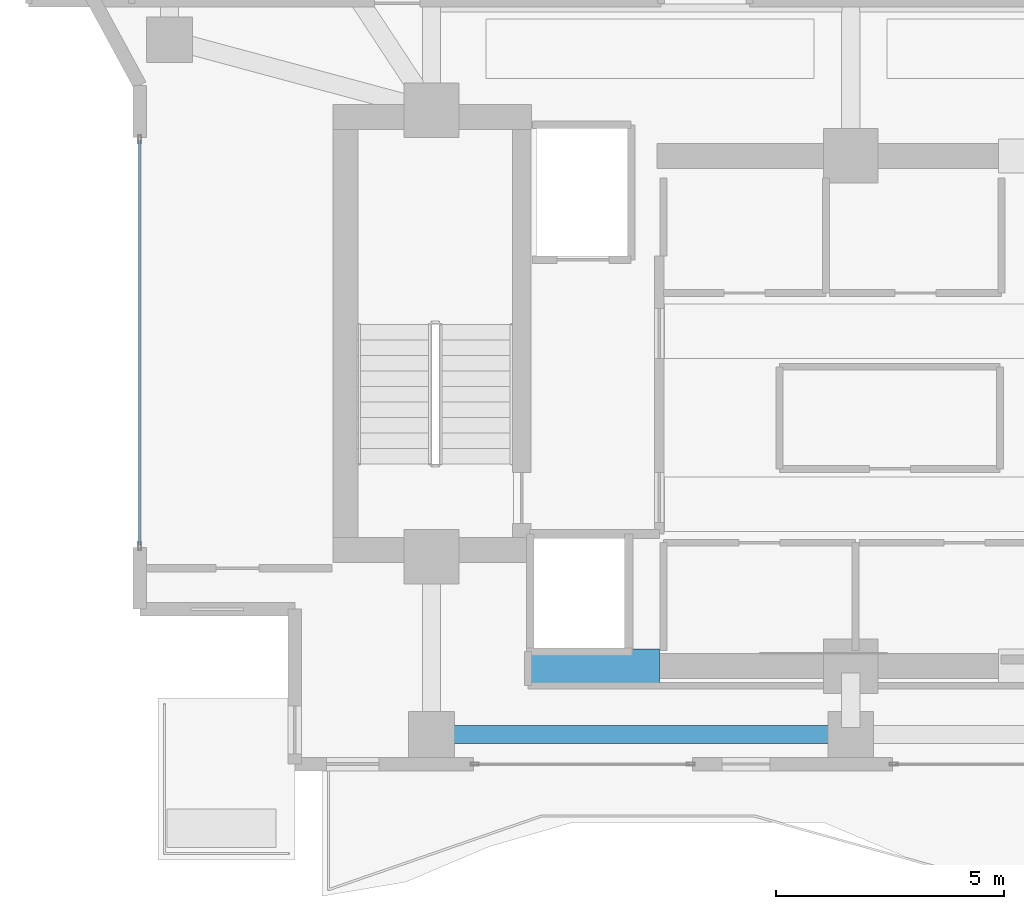
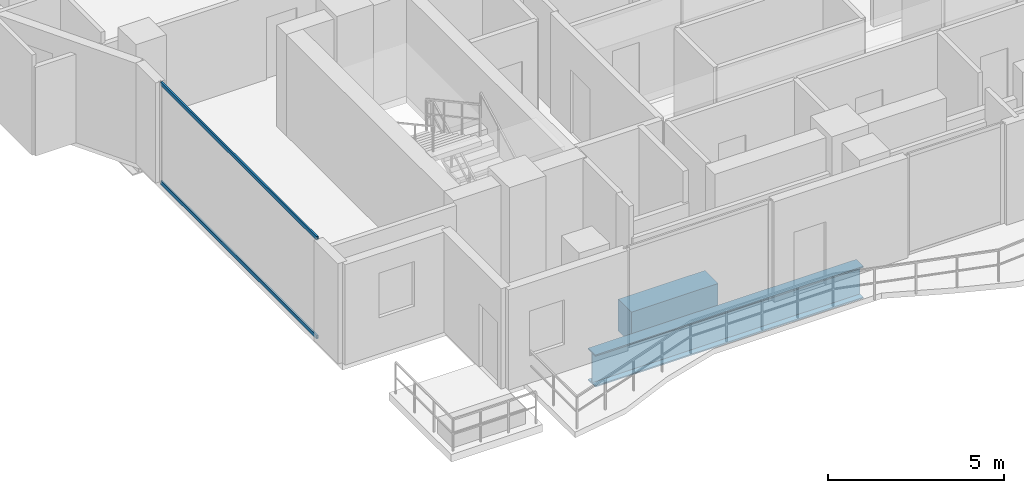
# One storey, part 3 of 28: 2 beams, 2 members, 1 element without a shape of its own.
"""IFC4 building model written with IfcOpenShell, lengths in metres."""

from ifc_helpers import new_model, si_unit, direction, frame, origin, origin_2d, place, context, subcontext, project, spatial, rectangle, hollow_rectangle, i_section, extrude, material, layer, layer_set, material_profile, profile_set, type_object, element, aggregate, save


model = new_model("IFC4")

# Units and contexts
model_context = context("Model", 3, precision=1e-05, world=origin(), true_north=direction((0.0, 1.0)))
body_context = subcontext(model_context, "Body", "Model", "MODEL_VIEW")
ifc_project = project(units=[si_unit("LENGTHUNIT", "METRE"), si_unit("AREAUNIT", "SQUARE_METRE"), si_unit("VOLUMEUNIT", "CUBIC_METRE"), si_unit("PLANEANGLEUNIT", "RADIAN"), si_unit("MASSUNIT", "GRAM", prefix="KILO")], contexts=[model_context])

# Site, building, storey
site_placement = place(None, origin())
site = spatial("IfcSite", under=ifc_project, at=site_placement, CompositionType="ELEMENT")
building_placement = place(site_placement, origin())
building = spatial("IfcBuilding", under=site, at=building_placement, Name="Zuhayl Quay Hotel", CompositionType="ELEMENT")
storey_placement = place(building_placement, frame((0.0, 0.0, 239.64990234375)))
storey = spatial("IfcBuildingStorey", under=building, at=storey_placement, Name="L60", CompositionType="ELEMENT", Elevation=239.64990234375)

# Beams
ifc_material_1 = material(Name="Concrete C60/75", Category="concrete")
ifc_material_profile_1 = material_profile(ifc_material_1, rectangle(XDim=0.75, YDim=1.10009765625, at=origin_2d()), Name="RC750X1100")
ifc_profile_set_1 = profile_set([ifc_material_profile_1], Name="Concrete C60/75")
beam_type_1 = type_object("IfcBeamType", Name="BM_CB2_RC750", PredefinedType="T_BEAM", material=ifc_profile_set_1)
beam_1_placement = place(storey_placement, frame((-11.64990234375, 2.14990234375, -0.809814453125), z_axis=(1.0, 0.0, 0.0), x_axis=(0.0, 1.0, 0.0)))
element("IfcBeam", 1, at=beam_1_placement, inside=storey, type_object=beam_type_1, Name="L60 Core Coupling Beam SW", PredefinedType="T_BEAM", context=body_context, shape_type="SweptSolid", body=[
    extrude(rectangle(XDim=0.75, YDim=1.10009765625, at=origin_2d()), origin(), (0.0, 0.0, 1.0), 2.849853515625),
])
ifc_material_2 = material(Name="Steel ASTM A913 Grade 65", Category="steel")
ifc_material_profile_2 = material_profile(ifc_material_2, i_section(OverallWidth=0.404052734375, OverallDepth=1.117919921875, WebThickness=0.026123046875, FlangeThickness=0.044921875, at=origin_2d()), Name="W44X335")
ifc_profile_set_2 = profile_set([ifc_material_profile_2], Name="Steel ASTM A913 Grade 65")
beam_type_2 = type_object("IfcBeamType", Name="BM_TG1_W44X335", PredefinedType="BEAM", material=ifc_profile_set_2)
beam_2_placement = place(storey_placement, frame((-13.60009765625, 0.64990234375, -0.81884765625), z_axis=(1.0, 0.0, 0.0), x_axis=(0.0, 1.0, 0.0)))
element("IfcBeam", 2, at=beam_2_placement, inside=storey, type_object=beam_type_2, Name="L60 Floor Beam RG_L60_01", PredefinedType="BEAM", context=body_context, shape_type="SweptSolid", body=[
    extrude(i_section(OverallWidth=0.404052734375, OverallDepth=1.117919921875, WebThickness=0.026123046875, FlangeThickness=0.044921875, at=origin_2d()), origin(), (0.0, 0.0, 1.0), 8.800048828125),
])

# Curtain wall, members
ifc_material_3 = material(Name="Anodised Aluminium 6063-T6", Category="aluminium")
ifc_layer = layer(ifc_material_3, 0.169921875, Name="Anodised Aluminium 6063-T6", Category="aluminium")
ifc_layer_set = layer_set([ifc_layer], Name="Anodised Aluminium 6063-T6")
curtain_wall_type = type_object("IfcCurtainWallType", Name="CW_SYS_Z4", PredefinedType="USERDEFINED", material=ifc_layer_set)
curtain_wall_placement = place(storey_placement, origin())
curtain_wall = element("IfcCurtainWall", 3, at=curtain_wall_placement, inside=storey, type_object=curtain_wall_type, Name="L60 Curtain Wall ENV_L60_E02_CW1", ObjectType="UNITISED CURTAIN WALL", PredefinedType="USERDEFINED")
ifc_material_4 = material(Name="Black-anodised aluminium 6063-T6", Category="aluminium")
ifc_material_profile_3 = material_profile(ifc_material_4, hollow_rectangle(XDim=0.054931640625, YDim=0.1298828125, WallThickness=0.0029296875, at=origin_2d()), Name="ALU130X55")
ifc_profile_set_3 = profile_set([ifc_material_profile_3], Name="Black-anodised aluminium 6063-T6")
member_type = type_object("IfcMemberType", Name="MB_CW_TRN_130", PredefinedType="USERDEFINED", material=ifc_profile_set_3)
member_1_placement = place(storey_placement, frame((-20.199951171875, 4.81494140625, 0.027587890625), z_axis=(0.0, 1.0, 0.0), x_axis=(-1.0, 0.0, 0.0)))
member_1 = element("IfcMember", 4, at=member_1_placement, type_object=member_type, Name="CW-Z4 transom 1.1", ObjectType="TRANSOM", PredefinedType="USERDEFINED", context=body_context, shape_type="SweptSolid", body=[
    extrude(hollow_rectangle(XDim=0.054931640625, YDim=0.1298828125, WallThickness=0.0029296875, at=origin_2d()), origin(), (0.0, 0.0, 1.0), 8.8701171875),
])
member_2_placement = place(storey_placement, frame((-20.199951171875, 4.81494140625, 3.45263671875), z_axis=(0.0, 1.0, 0.0), x_axis=(-1.0, 0.0, 0.0)))
member_2 = element("IfcMember", 5, at=member_2_placement, type_object=member_type, Name="CW-Z4 transom 1.2", ObjectType="TRANSOM", PredefinedType="USERDEFINED", context=body_context, shape_type="SweptSolid", body=[
    extrude(hollow_rectangle(XDim=0.054931640625, YDim=0.1298828125, WallThickness=0.0029296875, at=origin_2d()), origin(), (0.0, 0.0, 1.0), 8.8701171875),
])
aggregate(curtain_wall, [member_1, member_2])

save(model, "model.ifc")
